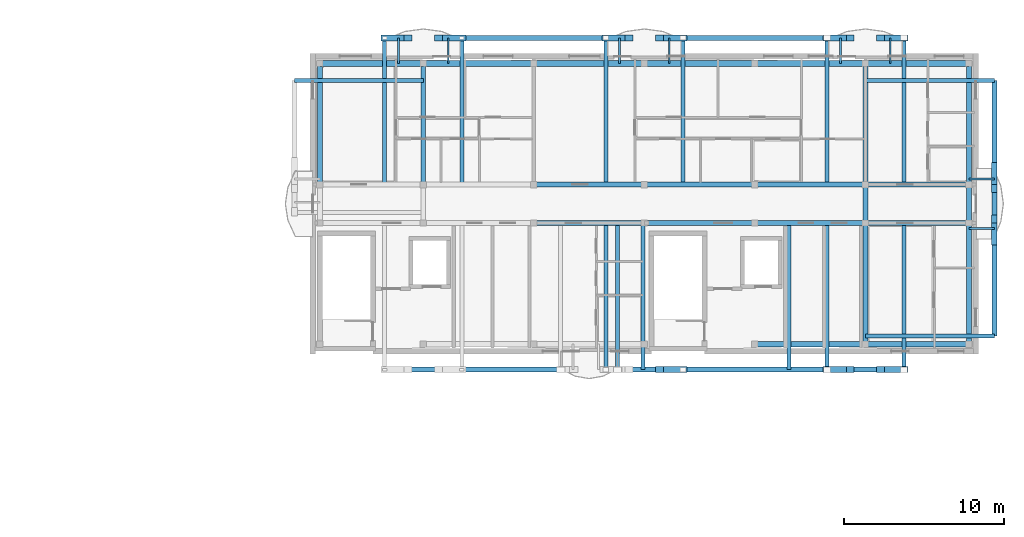
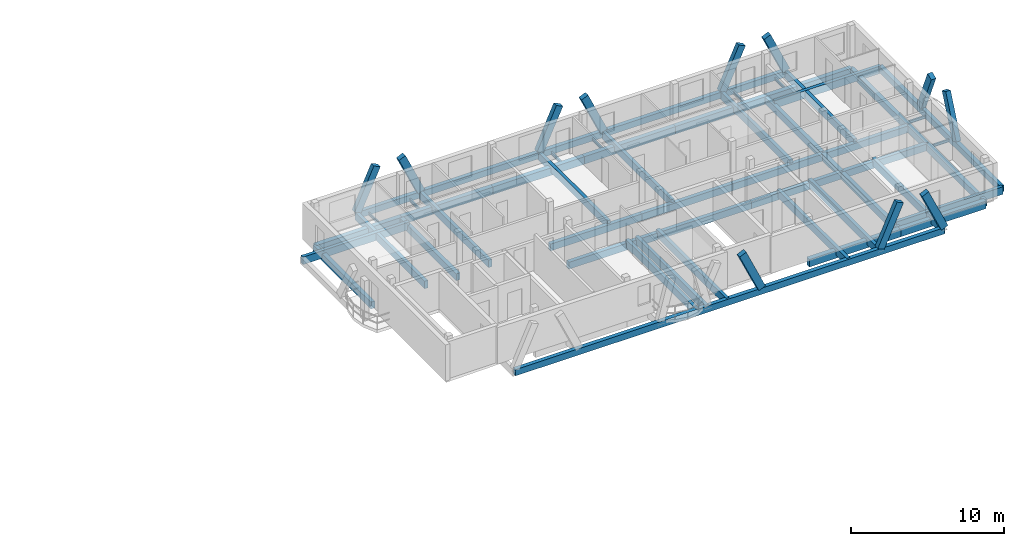
# One storey, part 5 of 29: 50 beams, 11 members.
"""IFC4 building model written with IfcOpenShell, lengths in metres."""

from ifc_helpers import new_model, si_unit, direction, frame, origin, origin_2d, place, context, subcontext, project, spatial, rectangle, i_section, extrude, material, material_profile, profile_set, type_object, element, save


model = new_model("IFC4")

# Units and contexts
model_context = context("Model", 3, precision=1e-05, world=origin(), true_north=direction((0.0, 1.0)))
body_context = subcontext(model_context, "Body", "Model", "MODEL_VIEW")
ifc_project = project(units=[si_unit("LENGTHUNIT", "METRE"), si_unit("AREAUNIT", "SQUARE_METRE"), si_unit("VOLUMEUNIT", "CUBIC_METRE"), si_unit("PLANEANGLEUNIT", "RADIAN"), si_unit("MASSUNIT", "GRAM", prefix="KILO")], contexts=[model_context])

# Site, building, storey
site_placement = place(None, origin())
site = spatial("IfcSite", under=ifc_project, at=site_placement, CompositionType="ELEMENT")
building_placement = place(site_placement, origin())
building = spatial("IfcBuilding", under=site, at=building_placement, Name="Zavelmont Quarter", CompositionType="ELEMENT")
storey_placement = place(building_placement, frame((0.0, 0.0, 33.60009765625)))
storey = spatial("IfcBuildingStorey", under=building, at=storey_placement, Name="L10", CompositionType="ELEMENT", Elevation=33.60009765625)

# Beams
ifc_material_1 = material(Name="Concrete C35/45", Category="concrete")
ifc_material_profile_1 = material_profile(ifc_material_1, rectangle(XDim=0.35009765625, YDim=0.60009765625, at=origin_2d()), Name="RC350X600")
ifc_profile_set_1 = profile_set([ifc_material_profile_1], Name="Concrete C35/45")
beam_type_1 = type_object("IfcBeamType", Name="BM01", PredefinedType="SPANDREL", material=ifc_profile_set_1)
beam_1_placement = place(storey_placement, frame((154.199951171875, 98.0400390625, -0.5400390625), z_axis=(1.0, 0.0, 0.0), x_axis=(0.0, 1.0, 0.0)))
element("IfcBeam", 1, at=beam_1_placement, inside=storey, type_object=beam_type_1, Name="L10 beam BM01 23/P to 24/P", PredefinedType="SPANDREL", context=body_context, shape_type="SweptSolid", body=[
    extrude(rectangle(XDim=0.35009765625, YDim=0.60009765625, at=origin_2d()), origin(), (0.0, 0.0, 1.0), 6.900146484375),
])
for number, where, z_axis, x_axis, name in (
    (2, (161.10009765625, 98.0400390625, -0.5400390625), (1.0, 0.0, 0.0), (0.0, 1.0, 0.0), "L10 beam BM01 24/P to 25/P"),
    (3, (127.0400390625, 115.56005859375, -0.5400390625), (1.0, 0.0, 0.0), (0.0, 1.0, 0.0), "L10 beam BM01 19/S to 20/S"),
):
    element("IfcBeam", number, at=place(storey_placement, frame(where, z_axis=z_axis, x_axis=x_axis)), inside=storey, type_object=beam_type_1, Name=name, PredefinedType="SPANDREL", context=body_context, shape_type="SweptSolid", body=[
        extrude(rectangle(XDim=0.35009765625, YDim=0.60009765625, at=origin_2d()), origin(), (0.0, 0.0, 1.0), 6.4599609375),
    ])
beam_2_placement = place(storey_placement, frame((133.5, 115.56005859375, -0.5400390625), z_axis=(1.0, 0.0, 0.0), x_axis=(0.0, 1.0, 0.0)))
element("IfcBeam", 4, at=beam_2_placement, inside=storey, type_object=beam_type_1, Name="L10 beam BM01 20/S to 21/S", PredefinedType="SPANDREL", context=body_context, shape_type="SweptSolid", body=[
    extrude(rectangle(XDim=0.35009765625, YDim=0.60009765625, at=origin_2d()), origin(), (0.0, 0.0, 1.0), 6.89990234375),
])
beam_3_placement = place(storey_placement, frame((140.39990234375, 115.56005859375, -0.5400390625), z_axis=(1.0, 0.0, 0.0), x_axis=(0.0, 1.0, 0.0)))
element("IfcBeam", 5, at=beam_3_placement, inside=storey, type_object=beam_type_1, Name="L10 beam BM01 21/S to 22/S", PredefinedType="SPANDREL", context=body_context, shape_type="SweptSolid", body=[
    extrude(rectangle(XDim=0.35009765625, YDim=0.60009765625, at=origin_2d()), origin(), (0.0, 0.0, 1.0), 6.900146484375),
])
beam_4_placement = place(storey_placement, frame((147.300048828125, 115.56005859375, -0.5400390625), z_axis=(1.0, 0.0, 0.0), x_axis=(0.0, 1.0, 0.0)))
element("IfcBeam", 6, at=beam_4_placement, inside=storey, type_object=beam_type_1, Name="L10 beam BM01 22/S to 23/S", PredefinedType="SPANDREL", context=body_context, shape_type="SweptSolid", body=[
    extrude(rectangle(XDim=0.35009765625, YDim=0.60009765625, at=origin_2d()), origin(), (0.0, 0.0, 1.0), 6.89990234375),
])
beam_5_placement = place(storey_placement, frame((154.199951171875, 115.56005859375, -0.5400390625), z_axis=(1.0, 0.0, 0.0), x_axis=(0.0, 1.0, 0.0)))
element("IfcBeam", 7, at=beam_5_placement, inside=storey, type_object=beam_type_1, Name="L10 beam BM01 23/S to 24/S", PredefinedType="SPANDREL", context=body_context, shape_type="SweptSolid", body=[
    extrude(rectangle(XDim=0.35009765625, YDim=0.60009765625, at=origin_2d()), origin(), (0.0, 0.0, 1.0), 6.900146484375),
])
beam_6_placement = place(storey_placement, frame((161.10009765625, 115.56005859375, -0.5400390625), z_axis=(1.0, 0.0, 0.0), x_axis=(0.0, 1.0, 0.0)))
element("IfcBeam", 8, at=beam_6_placement, inside=storey, type_object=beam_type_1, Name="L10 beam BM01 24/S to 25/S", PredefinedType="SPANDREL", context=body_context, shape_type="SweptSolid", body=[
    extrude(rectangle(XDim=0.35009765625, YDim=0.60009765625, at=origin_2d()), origin(), (0.0, 0.0, 1.0), 6.4599609375),
])
ifc_material_profile_2 = material_profile(ifc_material_1, rectangle(XDim=0.300048828125, YDim=0.550048828125, at=origin_2d()), Name="RC300X550")
ifc_profile_set_2 = profile_set([ifc_material_profile_2], Name="Concrete C35/45")
beam_type_2 = type_object("IfcBeamType", Name="BM02", PredefinedType="SPANDREL", material=ifc_profile_set_2)
beam_7_placement = place(storey_placement, frame((140.39990234375, 105.60009765625, -0.51513671875), z_axis=(1.0, 0.0, 0.0), x_axis=(0.0, 1.0, 0.0)))
element("IfcBeam", 9, at=beam_7_placement, inside=storey, type_object=beam_type_2, Name="L10 beam BM02 21/Q to 22/Q", PredefinedType="SPANDREL", context=body_context, shape_type="SweptSolid", body=[
    extrude(rectangle(XDim=0.300048828125, YDim=0.550048828125, at=origin_2d()), origin(), (0.0, 0.0, 1.0), 6.900146484375),
])
beam_8_placement = place(storey_placement, frame((147.300048828125, 105.60009765625, -0.51513671875), z_axis=(1.0, 0.0, 0.0), x_axis=(0.0, 1.0, 0.0)))
element("IfcBeam", 10, at=beam_8_placement, inside=storey, type_object=beam_type_2, Name="L10 beam BM02 22/Q to 23/Q", PredefinedType="SPANDREL", context=body_context, shape_type="SweptSolid", body=[
    extrude(rectangle(XDim=0.300048828125, YDim=0.550048828125, at=origin_2d()), origin(), (0.0, 0.0, 1.0), 6.89990234375),
])
beam_9_placement = place(storey_placement, frame((154.199951171875, 105.60009765625, -0.51513671875), z_axis=(1.0, 0.0, 0.0), x_axis=(0.0, 1.0, 0.0)))
element("IfcBeam", 11, at=beam_9_placement, inside=storey, type_object=beam_type_2, Name="L10 beam BM02 23/Q to 24/Q", PredefinedType="SPANDREL", context=body_context, shape_type="SweptSolid", body=[
    extrude(rectangle(XDim=0.300048828125, YDim=0.550048828125, at=origin_2d()), origin(), (0.0, 0.0, 1.0), 6.900146484375),
])
beam_10_placement = place(storey_placement, frame((161.10009765625, 105.60009765625, -0.51513671875), z_axis=(1.0, 0.0, 0.0), x_axis=(0.0, 1.0, 0.0)))
element("IfcBeam", 12, at=beam_10_placement, inside=storey, type_object=beam_type_2, Name="L10 beam BM02 24/Q to 25/Q", PredefinedType="SPANDREL", context=body_context, shape_type="SweptSolid", body=[
    extrude(rectangle(XDim=0.300048828125, YDim=0.550048828125, at=origin_2d()), origin(), (0.0, 0.0, 1.0), 6.4599609375),
])
beam_11_placement = place(storey_placement, frame((140.39990234375, 108.0, -0.51513671875), z_axis=(1.0, 0.0, 0.0), x_axis=(0.0, 1.0, 0.0)))
element("IfcBeam", 13, at=beam_11_placement, inside=storey, type_object=beam_type_2, Name="L10 beam BM02 21/R to 22/R", PredefinedType="SPANDREL", context=body_context, shape_type="SweptSolid", body=[
    extrude(rectangle(XDim=0.300048828125, YDim=0.550048828125, at=origin_2d()), origin(), (0.0, 0.0, 1.0), 6.900146484375),
])
beam_12_placement = place(storey_placement, frame((147.300048828125, 108.0, -0.51513671875), z_axis=(1.0, 0.0, 0.0), x_axis=(0.0, 1.0, 0.0)))
element("IfcBeam", 14, at=beam_12_placement, inside=storey, type_object=beam_type_2, Name="L10 beam BM02 22/R to 23/R", PredefinedType="SPANDREL", context=body_context, shape_type="SweptSolid", body=[
    extrude(rectangle(XDim=0.300048828125, YDim=0.550048828125, at=origin_2d()), origin(), (0.0, 0.0, 1.0), 6.89990234375),
])
beam_13_placement = place(storey_placement, frame((154.199951171875, 108.0, -0.51513671875), z_axis=(1.0, 0.0, 0.0), x_axis=(0.0, 1.0, 0.0)))
element("IfcBeam", 15, at=beam_13_placement, inside=storey, type_object=beam_type_2, Name="L10 beam BM02 23/R to 24/R", PredefinedType="SPANDREL", context=body_context, shape_type="SweptSolid", body=[
    extrude(rectangle(XDim=0.300048828125, YDim=0.550048828125, at=origin_2d()), origin(), (0.0, 0.0, 1.0), 6.900146484375),
])
beam_14_placement = place(storey_placement, frame((161.10009765625, 108.0, -0.51513671875), z_axis=(1.0, 0.0, 0.0), x_axis=(0.0, 1.0, 0.0)))
element("IfcBeam", 16, at=beam_14_placement, inside=storey, type_object=beam_type_2, Name="L10 beam BM02 24/R to 25/R", PredefinedType="SPANDREL", context=body_context, shape_type="SweptSolid", body=[
    extrude(rectangle(XDim=0.300048828125, YDim=0.550048828125, at=origin_2d()), origin(), (0.0, 0.0, 1.0), 6.4599609375),
])
for number, where, z_axis, x_axis, name in (
    (17, (127.0400390625, 108.0, -0.51513671875), (0.0, 1.0, 0.0), (-1.0, 0.0, 0.0), "L10 beam BM02 19/R to 19/S"),
    (18, (133.5, 108.0, -0.51513671875), (0.0, 1.0, 0.0), (-1.0, 0.0, 0.0), "L10 beam BM02 20/R to 20/S"),
    (19, (161.10009765625, 98.0400390625, -0.51513671875), (0.0, 1.0, 0.0), (-1.0, 0.0, 0.0), "L10 beam BM02 24/P to 24/Q"),
):
    element("IfcBeam", number, at=place(storey_placement, frame(where, z_axis=z_axis, x_axis=x_axis)), inside=storey, type_object=beam_type_2, Name=name, PredefinedType="SPANDREL", context=body_context, shape_type="SweptSolid", body=[
        extrude(rectangle(XDim=0.300048828125, YDim=0.550048828125, at=origin_2d()), origin(), (0.0, 0.0, 1.0), 7.56005859375),
    ])
beam_15_placement = place(storey_placement, frame((161.10009765625, 105.60009765625, -0.51513671875), z_axis=(0.0, 1.0, 0.0), x_axis=(-1.0, 0.0, 0.0)))
element("IfcBeam", 20, at=beam_15_placement, inside=storey, type_object=beam_type_2, Name="L10 beam BM02 24/Q to 24/R", PredefinedType="SPANDREL", context=body_context, shape_type="SweptSolid", body=[
    extrude(rectangle(XDim=0.300048828125, YDim=0.550048828125, at=origin_2d()), origin(), (0.0, 0.0, 1.0), 2.39990234375),
])
for number, where, z_axis, x_axis, name in (
    (21, (161.10009765625, 108.0, -0.51513671875), (0.0, 1.0, 0.0), (-1.0, 0.0, 0.0), "L10 beam BM02 24/R to 24/S"),
    (22, (167.56005859375, 98.0400390625, -0.51513671875), (0.0, 1.0, 0.0), (-1.0, 0.0, 0.0), "L10 beam BM02 25/P to 25/Q"),
):
    element("IfcBeam", number, at=place(storey_placement, frame(where, z_axis=z_axis, x_axis=x_axis)), inside=storey, type_object=beam_type_2, Name=name, PredefinedType="SPANDREL", context=body_context, shape_type="SweptSolid", body=[
        extrude(rectangle(XDim=0.300048828125, YDim=0.550048828125, at=origin_2d()), origin(), (0.0, 0.0, 1.0), 7.56005859375),
    ])
beam_16_placement = place(storey_placement, frame((167.56005859375, 105.60009765625, -0.51513671875), z_axis=(0.0, 1.0, 0.0), x_axis=(-1.0, 0.0, 0.0)))
element("IfcBeam", 23, at=beam_16_placement, inside=storey, type_object=beam_type_2, Name="L10 beam BM02 25/Q to 25/R", PredefinedType="SPANDREL", context=body_context, shape_type="SweptSolid", body=[
    extrude(rectangle(XDim=0.300048828125, YDim=0.550048828125, at=origin_2d()), origin(), (0.0, 0.0, 1.0), 2.39990234375),
])
beam_17_placement = place(storey_placement, frame((167.56005859375, 108.0, -0.51513671875), z_axis=(0.0, 1.0, 0.0), x_axis=(-1.0, 0.0, 0.0)))
element("IfcBeam", 24, at=beam_17_placement, inside=storey, type_object=beam_type_2, Name="L10 beam BM02 25/R to 25/S", PredefinedType="SPANDREL", context=body_context, shape_type="SweptSolid", body=[
    extrude(rectangle(XDim=0.300048828125, YDim=0.550048828125, at=origin_2d()), origin(), (0.0, 0.0, 1.0), 7.56005859375),
])
ifc_material_profile_3 = material_profile(ifc_material_1, rectangle(XDim=0.300048828125, YDim=0.5, at=origin_2d()), Name="RC300X500")
ifc_profile_set_3 = profile_set([ifc_material_profile_3], Name="Concrete C35/45")
beam_type_3 = type_object("IfcBeamType", Name="BM03", PredefinedType="BEAM", material=ifc_profile_set_3)
for number, where, z_axis, x_axis, name in (
    (25, (131.091064453125, 117.14990234375, -0.25), (1.0, 0.0, 0.0), (0.0, 1.0, 0.0), "L10 beam BM03 20/S to 24/S"),
    (26, (131.091064453125, 96.449951171875, -0.25), (1.0, 0.0, 0.0), (0.0, 1.0, 0.0), "L10 beam BM03 20/P to 24/P"),
):
    element("IfcBeam", number, at=place(storey_placement, frame(where, z_axis=z_axis, x_axis=x_axis)), inside=storey, type_object=beam_type_3, Name=name, PredefinedType="BEAM", context=body_context, shape_type="SweptSolid", body=[
        extrude(rectangle(XDim=0.300048828125, YDim=0.5, at=origin_2d()), origin(), (0.0, 0.0, 1.0), 32.41796875),
    ])
beam_18_placement = place(storey_placement, frame((169.14990234375, 98.550048828125, -0.25), z_axis=(0.0, 1.0, 0.0), x_axis=(-1.0, 0.0, 0.0)))
element("IfcBeam", 27, at=beam_18_placement, inside=storey, type_object=beam_type_3, Name="L10 beam BM03 25/P to 25/S", PredefinedType="BEAM", context=body_context, shape_type="SweptSolid", body=[
    extrude(rectangle(XDim=0.300048828125, YDim=0.5, at=origin_2d()), origin(), (0.0, 0.0, 1.0), 15.949951171875),
])
ifc_material_2 = material(Name="Steel S355", Category="steel")
ifc_material_profile_4 = material_profile(ifc_material_2, i_section(OverallWidth=0.110107421875, OverallDepth=0.219970703125, WebThickness=0.005859375, FlangeThickness=0.00927734375, at=origin_2d()), Name="IPE 220")
ifc_profile_set_4 = profile_set([ifc_material_profile_4], Name="Steel S355")
beam_type_4 = type_object("IfcBeamType", Name="BM15", PredefinedType="JOIST", material=ifc_profile_set_4)
for number, where, z_axis, x_axis, name in (
    (28, (131.949951171875, 115.56005859375, -0.3671875), (0.0, 1.0, 0.0), (-1.0, 0.0, 0.0), "L10 beam BM15 20/S to 20/S"),
    (29, (135.050048828125, 115.56005859375, -0.3671875), (0.0, 1.0, 0.0), (-1.0, 0.0, 0.0), "L10 beam BM15 20/S to 20/S"),
    (30, (145.75, 115.56005859375, -0.357177734375), (0.0, 1.0, 0.0), (-1.0, 0.0, 0.0), "L10 beam BM15 22/S to 22/S"),
    (31, (148.85009765625, 115.56005859375, -0.357177734375), (0.0, 1.0, 0.0), (-1.0, 0.0, 0.0), "L10 beam BM15 22/S to 22/S"),
    (32, (159.550048828125, 115.56005859375, -0.35205078125), (0.0, 1.0, 0.0), (-1.0, 0.0, 0.0), "L10 beam BM15 24/S to 24/S"),
    (33, (162.64990234375, 115.56005859375, -0.35205078125), (0.0, 1.0, 0.0), (-1.0, 0.0, 0.0), "L10 beam BM15 24/S to 24/S"),
    (34, (167.56005859375, 105.25, -0.3671875), (1.0, 0.0, 0.0), (0.0, 1.0, 0.0), "L10 beam BM15 25/Q to 25/Q"),
    (35, (167.56005859375, 108.35009765625, -0.3671875), (1.0, 0.0, 0.0), (0.0, 1.0, 0.0), "L10 beam BM15 25/R to 25/R"),
):
    element("IfcBeam", number, at=place(storey_placement, frame(where, z_axis=z_axis, x_axis=x_axis)), inside=storey, type_object=beam_type_4, Name=name, PredefinedType="JOIST", context=body_context, shape_type="SweptSolid", body=[
        extrude(i_section(OverallWidth=0.110107421875, OverallDepth=0.219970703125, WebThickness=0.005859375, FlangeThickness=0.00927734375, at=origin_2d()), origin(), (0.0, 0.0, 1.0), 1.58984375),
    ])
ifc_material_3 = material(Name="Concrete C40/50", Category="concrete")
ifc_material_profile_5 = material_profile(ifc_material_3, rectangle(XDim=0.25, YDim=0.60009765625, at=origin_2d()), Name="RC250X600")
ifc_profile_set_5 = profile_set([ifc_material_profile_5], Name="Concrete C40/50")
beam_type_5 = type_object("IfcBeamType", Name="BM18", PredefinedType="BEAM", material=ifc_profile_set_5)
for number, where, z_axis, x_axis, name in (
    (36, (131.09130859375, 108.0, -0.300048828125), (0.0, 1.0, 0.0), (-1.0, 0.0, 0.0), "L10 beam BM18 20/R to 20/S"),
    (37, (135.90869140625, 108.0, -0.300048828125), (0.0, 1.0, 0.0), (-1.0, 0.0, 0.0), "L10 beam BM18 20/R to 20/S"),
    (38, (144.89111328125, 108.0, -0.300048828125), (0.0, 1.0, 0.0), (-1.0, 0.0, 0.0), "L10 beam BM18 22/R to 22/S"),
    (39, (149.708740234375, 108.0, -0.300048828125), (0.0, 1.0, 0.0), (-1.0, 0.0, 0.0), "L10 beam BM18 22/R to 22/S"),
    (40, (158.691162109375, 108.0, -0.300048828125), (0.0, 1.0, 0.0), (-1.0, 0.0, 0.0), "L10 beam BM18 24/R to 24/S"),
    (41, (163.5087890625, 108.0, -0.300048828125), (0.0, 1.0, 0.0), (-1.0, 0.0, 0.0), "L10 beam BM18 24/R to 24/S"),
):
    element("IfcBeam", number, at=place(storey_placement, frame(where, z_axis=z_axis, x_axis=x_axis)), inside=storey, type_object=beam_type_5, Name=name, PredefinedType="BEAM", context=body_context, shape_type="SweptSolid", body=[
        extrude(rectangle(XDim=0.25, YDim=0.60009765625, at=origin_2d()), origin(), (0.0, 0.0, 1.0), 9.14990234375),
    ])
for number, where, z_axis, x_axis, name in (
    (42, (144.89111328125, 105.60009765625, -0.300048828125), (0.0, -1.0, 0.0), (1.0, 0.0, 0.0), "L10 beam BM18 22/Q to 22/P"),
    (43, (147.199951171875, 105.60009765625, -0.300048828125), (0.0, -1.0, 0.0), (1.0, 0.0, 0.0), "L10 beam BM18 22/Q to 22/P"),
    (44, (156.324951171875, 105.60009765625, -0.300048828125), (0.0, -1.0, 0.0), (1.0, 0.0, 0.0), "L10 beam BM18 23/Q to 23/P"),
    (45, (158.691162109375, 105.60009765625, -0.300048828125), (0.0, -1.0, 0.0), (1.0, 0.0, 0.0), "L10 beam BM18 24/Q to 24/P"),
    (46, (163.5087890625, 105.60009765625, -0.300048828125), (0.0, -1.0, 0.0), (1.0, 0.0, 0.0), "L10 beam BM18 24/Q to 24/P"),
    (47, (145.62646484375, 105.60009765625, -0.300048828125), (0.0, -1.0, 0.0), (1.0, 0.0, 0.0), "L10 beam BM18 22/Q to 22/P"),
):
    element("IfcBeam", number, at=place(storey_placement, frame(where, z_axis=z_axis, x_axis=x_axis)), inside=storey, type_object=beam_type_5, Name=name, PredefinedType="BEAM", context=body_context, shape_type="SweptSolid", body=[
        extrude(rectangle(XDim=0.25, YDim=0.60009765625, at=origin_2d()), origin(), (0.0, 0.0, 1.0), 9.150146484375),
    ])
for number, where, z_axis, x_axis, name in (
    (48, (161.10009765625, 98.550048828125, -0.300048828125), (1.0, 0.0, 0.0), (0.0, 1.0, 0.0), "L10 beam BM18 24/P to 25/P"),
    (49, (161.10009765625, 114.5, -0.300048828125), (1.0, 0.0, 0.0), (0.0, 1.0, 0.0), "L10 beam BM18 24/S to 25/S"),
):
    element("IfcBeam", number, at=place(storey_placement, frame(where, z_axis=z_axis, x_axis=x_axis)), inside=storey, type_object=beam_type_5, Name=name, PredefinedType="BEAM", context=body_context, shape_type="SweptSolid", body=[
        extrude(rectangle(XDim=0.25, YDim=0.60009765625, at=origin_2d()), origin(), (0.0, 0.0, 1.0), 8.0498046875),
    ])
beam_19_placement = place(storey_placement, frame((133.5, 114.5, -0.300048828125), z_axis=(-1.0, 0.0, 0.0), x_axis=(0.0, -1.0, 0.0)))
element("IfcBeam", 50, at=beam_19_placement, inside=storey, type_object=beam_type_5, Name="L10 beam BM18 20/S to 19/S", PredefinedType="BEAM", context=body_context, shape_type="SweptSolid", body=[
    extrude(rectangle(XDim=0.25, YDim=0.60009765625, at=origin_2d()), origin(), (0.0, 0.0, 1.0), 8.050048828125),
])

# Members
ifc_material_4 = material(Name="White architectural precast concrete C40/50", Category="concrete")
ifc_material_profile_6 = material_profile(ifc_material_4, rectangle(XDim=0.360107421875, YDim=0.5400390625, at=origin_2d()), Name="PCR280X420")
ifc_profile_set_6 = profile_set([ifc_material_profile_6], Name="White architectural precast concrete C40/50")
member_type = type_object("IfcMemberType", Name="VR02M", PredefinedType="CHORD", material=ifc_profile_set_6)
for number, where, z_axis, x_axis, name in (
    (51, (131.09130859375, 117.14990234375, 0.0), (0.4147964785, 0.0, 0.909914216519), (0.0, 1.0, 0.0), "L10 member VR02M 20/S to 20/S"),
    (52, (135.90869140625, 117.14990234375, 0.0), (-0.4147964785, 0.0, 0.909914216519), (0.0, -1.0, 0.0), "L10 member VR02M 20/S to 20/S"),
    (53, (144.89111328125, 117.14990234375, 0.0), (0.414853953542, 0.0, 0.909888013566), (0.0, 1.0, 0.0), "L10 member VR02M 22/S to 22/S"),
    (54, (149.708740234375, 117.14990234375, 0.0), (-0.4147964785, 0.0, 0.909914216519), (0.0, -1.0, 0.0), "L10 member VR02M 22/S to 22/S"),
    (55, (158.691162109375, 117.14990234375, 0.0), (0.4147964785, 0.0, 0.909914216519), (0.0, 1.0, 0.0), "L10 member VR02M 24/S to 24/S"),
    (56, (163.5087890625, 117.14990234375, 0.0), (-0.4147964785, 0.0, 0.909914216519), (0.0, -1.0, 0.0), "L10 member VR02M 24/S to 24/S"),
    (57, (149.708740234375, 96.449951171875, 0.0), (-0.4147964785, 0.0, 0.909914216519), (0.0, -1.0, 0.0), "L10 member VR02M 22/P to 22/P"),
    (58, (158.691162109375, 96.449951171875, 0.0), (0.4147964785, 0.0, 0.909914216519), (0.0, 1.0, 0.0), "L10 member VR02M 24/P to 24/P"),
    (59, (163.5087890625, 96.449951171875, 0.0), (-0.4147964785, 0.0, 0.909914216519), (0.0, -1.0, 0.0), "L10 member VR02M 24/P to 24/P"),
):
    element("IfcMember", number, at=place(storey_placement, frame(where, z_axis=z_axis, x_axis=x_axis)), inside=storey, type_object=member_type, Name=name, PredefinedType="CHORD", context=body_context, shape_type="SweptSolid", body=[
        extrude(rectangle(XDim=0.360107421875, YDim=0.5400390625, at=origin_2d()), origin(), (0.0, 0.0, 1.0), 3.516845703125),
    ])
for number, where, z_axis, x_axis, name in (
    (60, (169.14990234375, 104.484619140625, 0.0), (0.0, 0.392479053556, 0.919760943137), (-1.0, 0.0, 0.0), "L10 member VR02M 25/Q to 25/Q"),
    (61, (169.14990234375, 109.115234375, 0.0), (0.0, -0.392419687318, 0.919786273547), (1.0, 0.0, 0.0), "L10 member VR02M 25/R to 25/R"),
):
    element("IfcMember", number, at=place(storey_placement, frame(where, z_axis=z_axis, x_axis=x_axis)), inside=storey, type_object=member_type, Name=name, PredefinedType="CHORD", context=body_context, shape_type="SweptSolid", body=[
        extrude(rectangle(XDim=0.360107421875, YDim=0.5400390625, at=origin_2d()), origin(), (0.0, 0.0, 1.0), 3.47900390625),
    ])

save(model, "model.ifc")
